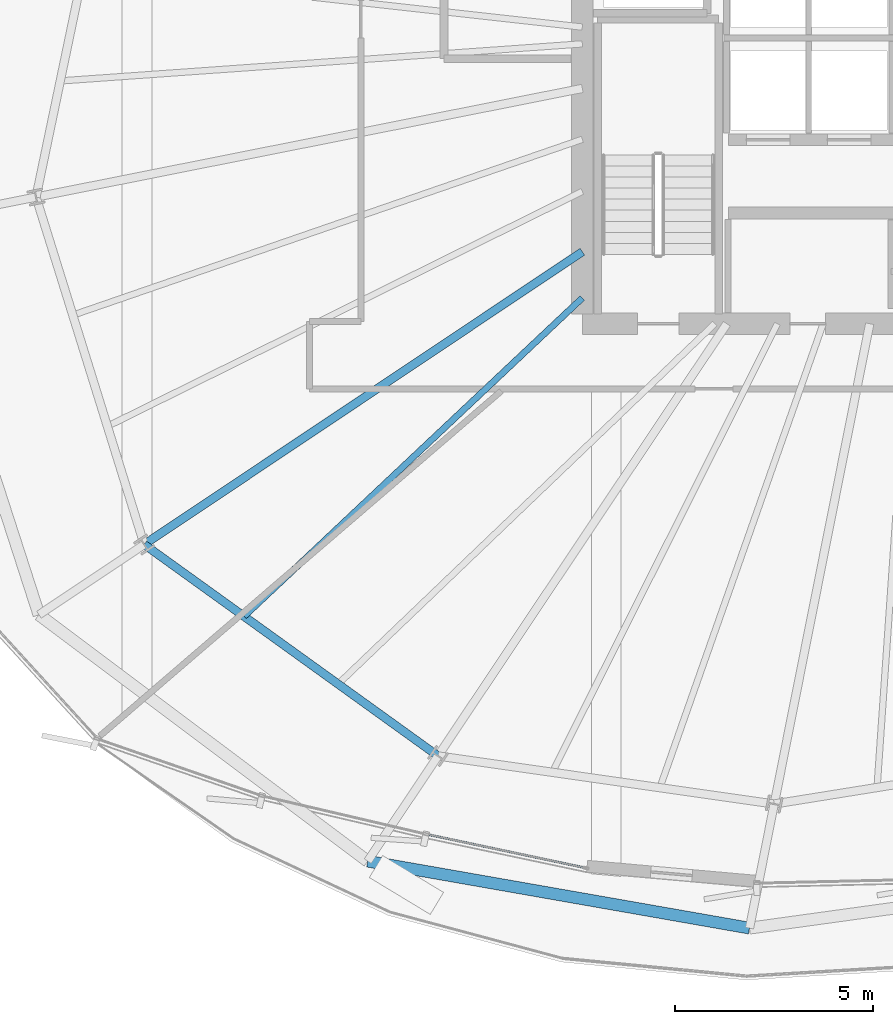
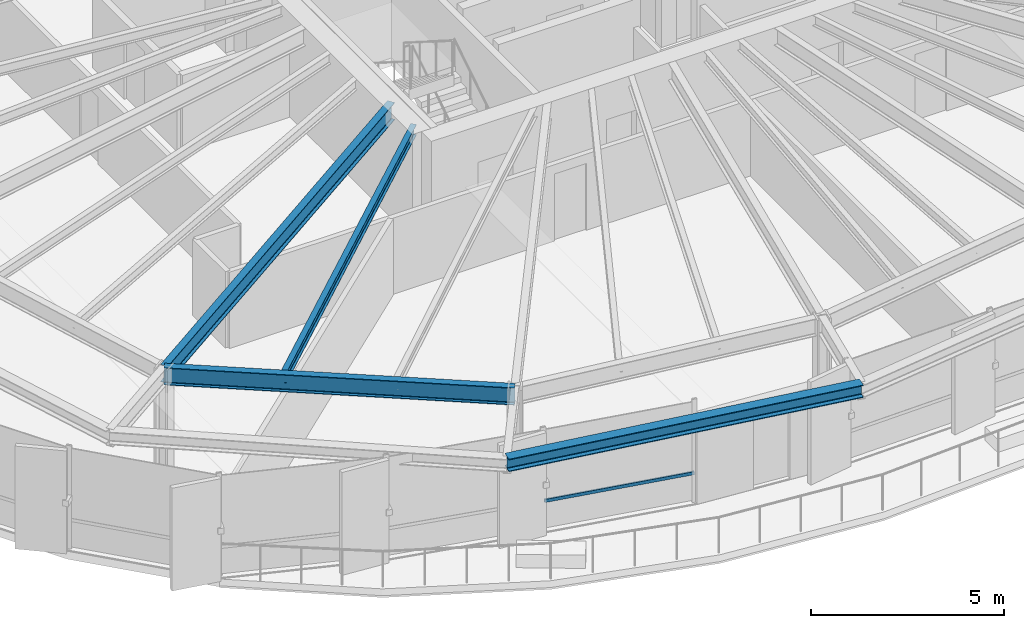
# One storey, part 4 of 37: 4 beams, 1 member, 1 element without a shape of its own.
"""IFC4 building model written with IfcOpenShell, lengths in metres."""

from ifc_helpers import new_model, si_unit, direction, frame, origin, origin_2d, place, context, subcontext, project, spatial, hollow_rectangle, i_section, extrude, source, transform, mapped, material, layer, layer_set, material_profile, profile_set, type_object, element, aggregate, save


model = new_model("IFC4")

# Units and contexts
model_context = context("Model", 3, precision=1e-05, world=origin(), true_north=direction((0.0, 1.0)))
body_context = subcontext(model_context, "Body", "Model", "MODEL_VIEW")
ifc_project = project(units=[si_unit("LENGTHUNIT", "METRE"), si_unit("AREAUNIT", "SQUARE_METRE"), si_unit("VOLUMEUNIT", "CUBIC_METRE"), si_unit("PLANEANGLEUNIT", "RADIAN"), si_unit("MASSUNIT", "GRAM", prefix="KILO"), si_unit("THERMODYNAMICTEMPERATUREUNIT", "KELVIN")], contexts=[model_context])

# Site, building, storey
site_placement = place(None, origin())
site = spatial("IfcSite", under=ifc_project, at=site_placement, CompositionType="ELEMENT")
building_placement = place(site_placement, origin())
building = spatial("IfcBuilding", under=site, at=building_placement, Name="Kethvar Cultural Tower", CompositionType="ELEMENT")
storey_placement = place(building_placement, frame((0.0, 0.0, 132.35009765625)))
storey = spatial("IfcBuildingStorey", under=building, at=storey_placement, Name="L33", CompositionType="ELEMENT", Elevation=132.35009765625)

# Beams
ifc_material_1 = material(Name="Steel S355J2", Category="steel")
ifc_material_profile_1 = material_profile(ifc_material_1, i_section(OverallWidth=0.2099609375, OverallDepth=0.550048828125, WebThickness=0.010986328125, FlangeThickness=0.01708984375, FilletRadius=0.02392578125, at=origin_2d()), Name="Steel S355J2 — IPE550")
ifc_profile_set_1 = profile_set([ifc_material_profile_1], Name="Steel S355J2 — IPE550")
beam_type_1 = type_object("IfcBeamType", Name="BM-IPE550", PredefinedType="BEAM", material=ifc_profile_set_1)
shared_shape_1 = source(origin(), body_context, "Body", "SweptSolid", [
    extrude(i_section(OverallWidth=0.2099609375, OverallDepth=0.550048828125, WebThickness=0.010986328125, FlangeThickness=0.01708984375, FilletRadius=0.02392578125, at=origin_2d()), origin(), (0.0, 0.0, 1.0), 13.324951171875),
])
beam_1_placement = place(storey_placement, frame((38.0, 21.919921875, 3.02294921875), z_axis=(-0.831474815475, -0.555562445843, 0.0), x_axis=(0.555562445843, -0.831474815475, 0.0)))
element("IfcBeam", 1, at=beam_1_placement, inside=storey, type_object=beam_type_1, Name="L33 Primary Radial Beam RB-10", PredefinedType="BEAM", context=body_context, shape_type="MappedRepresentation", body=[
    mapped(shared_shape_1, transform((0.0, 0.0, 0.0), scale=1.0)),
])
shared_shape_2 = source(origin(), body_context, "Body", "SweptSolid", [
    extrude(i_section(OverallWidth=0.2099609375, OverallDepth=0.550048828125, WebThickness=0.010986328125, FlangeThickness=0.01708984375, FilletRadius=0.02392578125, at=origin_2d()), origin(), (0.0, 0.0, 1.0), 9.155029296875),
])
beam_2_placement = place(storey_placement, frame((26.920654296875, 14.51708984375, 3.02294921875), z_axis=(0.811590987974, -0.584226042076, 0.0), x_axis=(0.584226042076, 0.811590987974, 0.0)))
element("IfcBeam", 2, at=beam_2_placement, inside=storey, type_object=beam_type_1, Name="L33 Column Ring Tie Beam CR-10", PredefinedType="BEAM", context=body_context, shape_type="MappedRepresentation", body=[
    mapped(shared_shape_2, transform((0.0, 0.0, 0.0), scale=1.0)),
])
ifc_material_profile_2 = material_profile(ifc_material_1, i_section(OverallWidth=0.159912109375, OverallDepth=0.330078125, WebThickness=0.007568359375, FlangeThickness=0.011474609375, FilletRadius=0.01806640625, at=origin_2d()), Name="Steel S355J2 — IPE330")
ifc_profile_set_2 = profile_set([ifc_material_profile_2], Name="Steel S355J2 — IPE330")
beam_type_2 = type_object("IfcBeamType", Name="BM-J330", PredefinedType="JOIST", material=ifc_profile_set_2)
shared_shape_3 = source(origin(), body_context, "Body", "SweptSolid", [
    extrude(i_section(OverallWidth=0.159912109375, OverallDepth=0.330078125, WebThickness=0.007568359375, FlangeThickness=0.011474609375, FilletRadius=0.01806640625, at=origin_2d()), origin(), (0.0, 0.0, 1.0), 11.74658203125),
])
beam_3_placement = place(storey_placement, frame((38.0, 20.75, 3.1328125), z_axis=(-0.728129818661, -0.685439251266, 0.0), x_axis=(0.685439251266, -0.728129818661, 0.0)))
element("IfcBeam", 3, at=beam_3_placement, inside=storey, type_object=beam_type_2, Name="L33 Composite Floor Joist J-10A", PredefinedType="JOIST", context=body_context, shape_type="MappedRepresentation", body=[
    mapped(shared_shape_3, transform((0.0, 0.0, 0.0), scale=1.0)),
])
ifc_material_profile_3 = material_profile(ifc_material_1, i_section(OverallWidth=0.300048828125, OverallDepth=0.39990234375, WebThickness=0.013427734375, FlangeThickness=0.02392578125, FilletRadius=0.027099609375, at=origin_2d()), Name="Steel S355J2 — HEB400")
ifc_profile_set_3 = profile_set([ifc_material_profile_3], Name="Steel S355J2 — HEB400")
beam_type_3 = type_object("IfcBeamType", Name="BM-SP400", PredefinedType="SPANDREL", material=ifc_profile_set_3)
shared_shape_4 = source(origin(), body_context, "Body", "SweptSolid", [
    extrude(i_section(OverallWidth=0.300048828125, OverallDepth=0.39990234375, WebThickness=0.013427734375, FlangeThickness=0.02392578125, FilletRadius=0.027099609375, at=origin_2d()), origin(), (0.0, 0.0, 1.0), 9.80224609375),
])
beam_4_placement = place(storey_placement, frame((32.572998046875, 6.5078125, 3.097900390625), z_axis=(0.984974273513, -0.172701130618, 0.0), x_axis=(0.172701130618, 0.984974273513, 0.0)))
element("IfcBeam", 4, at=beam_4_placement, inside=storey, type_object=beam_type_3, Name="L33 Perimeter Spandrel Beam SP-11", PredefinedType="SPANDREL", context=body_context, shape_type="MappedRepresentation", body=[
    mapped(shared_shape_4, transform((0.0, 0.0, 0.0), scale=1.0)),
])

# Curtain wall, member
ifc_material_2 = material(Name="Aluminium 6063-T6", Category="aluminium")
ifc_layer = layer(ifc_material_2, 0.179931640625, Name="Aluminium 6063-T6", Category="aluminium")
ifc_layer_set = layer_set([ifc_layer], Name="Aluminium 6063-T6 (180 mm)")
curtain_wall_type = type_object("IfcCurtainWallType", Name="CW-SYS-04-Z34", PredefinedType="NOTDEFINED", material=ifc_layer_set)
curtain_wall_placement = place(storey_placement, origin())
curtain_wall = element("IfcCurtainWall", 5, at=curtain_wall_placement, inside=storey, type_object=curtain_wall_type, Name="L33 Curtain Wall Run 04", PredefinedType="NOTDEFINED")
ifc_material_profile_4 = material_profile(ifc_material_2, hollow_rectangle(XDim=0.050048828125, YDim=0.10009765625, WallThickness=0.00390625, at=origin_2d()), Name="Aluminium 6063-T6 — RHS100x50x4")
ifc_profile_set_4 = profile_set([ifc_material_profile_4], Name="Aluminium 6063-T6 — RHS100x50x4")
member_type = type_object("IfcMemberType", Name="CW-SYS-04-Z34-TRN", PredefinedType="USERDEFINED", material=ifc_profile_set_4)
shared_shape_5 = source(origin(), body_context, "Body", "SweptSolid", [
    extrude(hollow_rectangle(XDim=0.050048828125, YDim=0.10009765625, WallThickness=0.00390625, at=origin_2d()), origin(), (0.0, 0.0, 1.0), 4.087646484375),
])
member_placement = place(storey_placement, frame((34.08935546875, 7.18310546875, 0.949951171875), z_axis=(0.978325509714, -0.207072926873, 0.0), x_axis=(0.207072926873, 0.978325509714, 0.0)))
member = element("IfcMember", 6, at=member_placement, type_object=member_type, Name="CW-L33-R04 Transom 5", ObjectType="TRANSOM", PredefinedType="USERDEFINED", context=body_context, shape_type="MappedRepresentation", body=[
    mapped(shared_shape_5, transform((0.0, 0.0, 0.0), scale=1.0)),
])
aggregate(curtain_wall, [member])

save(model, "model.ifc")
